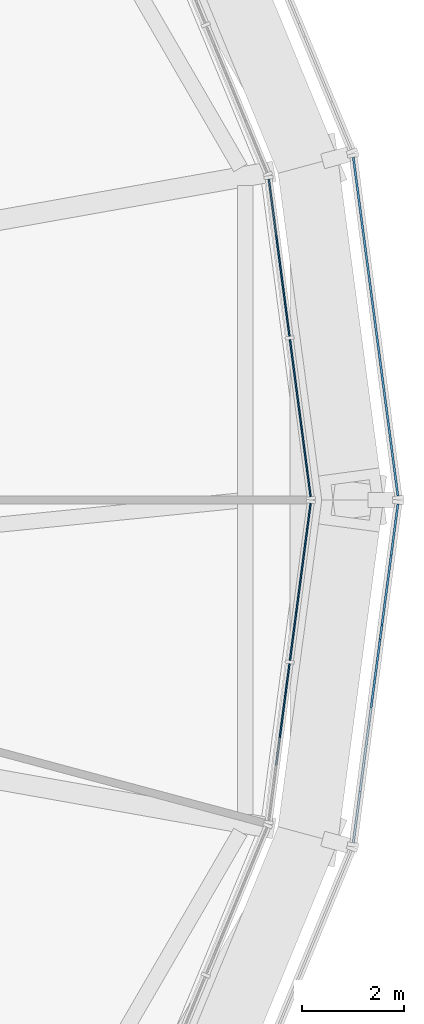
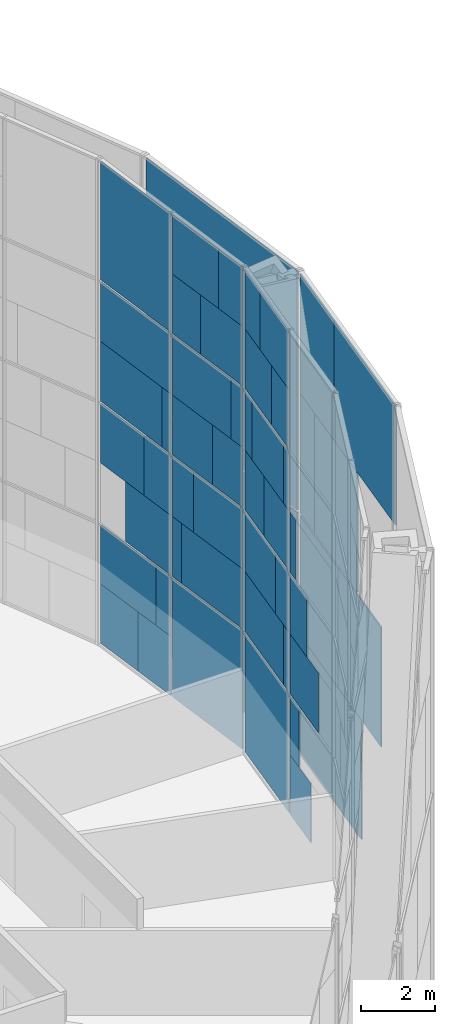
# One storey, part 20 of 30: 52 plates, 4 elements without a shape of their own.
"""IFC4 building model written with IfcOpenShell, lengths in metres."""

import ifcopenshell
import ifcopenshell.guid

model = None  # the IFC model being written
_history = None  # IfcOwnerHistory: only IFC2X3 demands one
_inside = {}  # id of a spatial element -> (the spatial element, [elements in it])
_under = {}  # id of a project, library or spatial element -> (it, [spatial elements below it])
_declared = {}  # id of a project -> (the project, [libraries it declares])
_typed = {}  # id of a type object -> (the type object, [elements of that type])
_made_of = {}  # id of a material, layer set ... -> (it, [elements and type objects made of it])


def new_model(schema):
    """Start an empty IFC model of exactly this schema.

    Asked for "IFC4X3", IfcOpenShell would pick the latest addendum, in which some entities
    have other attributes; the version numbers below select the first issue.
    IFC2X3 requires an IfcOwnerHistory on every rooted entity: one is made here for all.
    """
    global model, _history
    if schema == "IFC4X3":
        model = ifcopenshell.file(schema_version=(4, 3, 0, 0))
    else:
        model = ifcopenshell.file(schema=schema)
    _inside.clear()
    _under.clear()
    _declared.clear()
    _typed.clear()
    _made_of.clear()
    _history = None
    if model.schema == "IFC2X3":
        org = make("IfcOrganization", Name="unknown")
        user = make(
            "IfcPersonAndOrganization",
            ThePerson=make("IfcPerson", FamilyName="unknown"),
            TheOrganization=org,
        )
        app = make(
            "IfcApplication",
            ApplicationDeveloper=org,
            Version="unknown",
            ApplicationFullName="unknown",
            ApplicationIdentifier="unknown",
        )
        _history = make(
            "IfcOwnerHistory",
            OwningUser=user,
            OwningApplication=app,
            ChangeAction="ADDED",
            CreationDate=0,
        )
    return model


def make(cls, **values):
    """One entity of the class cls with the attributes given. An attribute that is None is left unset."""
    return model.create_entity(
        cls, **{name: value for name, value in values.items() if value is not None}
    )


def rooted(cls, **values):
    """An entity with a GlobalId (a new one), such as an element, a storey or a relation."""
    return make(cls, GlobalId=ifcopenshell.guid.new(), OwnerHistory=_history, **values)


def si_unit(unit_type, name, prefix=None):
    """IfcSIUnit, for example si_unit("LENGTHUNIT", "METRE", prefix="MILLI")."""
    return make("IfcSIUnit", UnitType=unit_type, Prefix=prefix, Name=name)


def assignment(units):
    """IfcUnitAssignment: the units of a project."""
    return None if units is None else make("IfcUnitAssignment", Units=units)


def point(xyz):
    """IfcCartesianPoint."""
    return None if xyz is None else make("IfcCartesianPoint", Coordinates=xyz)


def direction(xyz):
    """IfcDirection."""
    return None if xyz is None else make("IfcDirection", DirectionRatios=xyz)


def frame(location, z_axis=None, x_axis=None):
    """IfcAxis2Placement3D, a coordinate frame: its origin and axes. An axis left out is left unset."""
    return make(
        "IfcAxis2Placement3D",
        Location=point(location),
        Axis=direction(z_axis),
        RefDirection=direction(x_axis),
    )


def frame_2d(location, x_axis=None):
    """IfcAxis2Placement2D, a coordinate frame in the plane: its origin and x axis."""
    return make(
        "IfcAxis2Placement2D", Location=point(location), RefDirection=direction(x_axis)
    )


def origin():
    """The frame at (0, 0, 0) with its axes left unset."""
    return frame((0.0, 0.0, 0.0))


def origin_2d():
    """The frame at (0, 0) in the plane with its x axis left unset."""
    return frame_2d((0.0, 0.0))


def place(relative_to, where):
    """IfcLocalPlacement: puts the frame where relative to a parent placement (None: the world)."""
    return make(
        "IfcLocalPlacement", PlacementRelTo=relative_to, RelativePlacement=where
    )


def context(
    kind, dimensions, precision=None, world=None, true_north=None, identifier=None
):
    """IfcGeometricRepresentationContext, for example the 3D "Model" context."""
    return make(
        "IfcGeometricRepresentationContext",
        ContextIdentifier=identifier,
        ContextType=kind,
        CoordinateSpaceDimension=dimensions,
        Precision=precision,
        WorldCoordinateSystem=world,
        TrueNorth=true_north,
    )


def subcontext(parent, identifier, kind, view, scale=None):
    """IfcGeometricRepresentationSubContext, for example "Body" below "Model"."""
    return make(
        "IfcGeometricRepresentationSubContext",
        ContextIdentifier=identifier,
        ContextType=kind,
        ParentContext=parent,
        TargetScale=scale,
        TargetView=view,
    )


def project(units=None, contexts=None):
    """IfcProject with its units and contexts."""
    return rooted(
        "IfcProject",
        Name="project",
        RepresentationContexts=contexts,
        UnitsInContext=assignment(units),
    )


def spatial(cls, under=None, at=None, **own):
    """A site, building, storey or space (cls), placed at a placement, below another one or the project."""
    s = rooted(cls, ObjectPlacement=at, **own)
    if under is not None:
        _under.setdefault(under.id(), (under, []))[1].append(s)
    return s


def profile(cls, at=None, kind="AREA", **sizes):
    """A parametric profile (cls). Its sizes go by their IFC names, for example OverallWidth=200.0."""
    return make(cls, ProfileType=kind, Position=at, **sizes)


def rectangle(**sizes):
    """IfcRectangleProfileDef."""
    return profile("IfcRectangleProfileDef", **sizes)


def extrude(swept, where, along, depth):
    """IfcExtrudedAreaSolid: the profile swept, set in the frame where, extruded along a direction by depth."""
    return make(
        "IfcExtrudedAreaSolid",
        SweptArea=swept,
        Position=where,
        ExtrudedDirection=direction(along),
        Depth=depth,
    )


def shape(context_of_items, identifier, shape_type, items):
    """IfcShapeRepresentation: the items that make up one representation, for example the "Body"."""
    return make(
        "IfcShapeRepresentation",
        ContextOfItems=context_of_items,
        RepresentationIdentifier=identifier,
        RepresentationType=shape_type,
        Items=items,
    )


def material(Name=None, Category=None):
    """IfcMaterial."""
    return make("IfcMaterial", Name=Name, Category=Category)


def layer(
    of_material, thickness, ventilated=None, Name=None, Category=None, Priority=None
):
    """IfcMaterialLayer: one layer of a wall or slab, of a material (None: an air gap)."""
    return make(
        "IfcMaterialLayer",
        Material=of_material,
        LayerThickness=thickness,
        IsVentilated=ventilated,
        Name=Name,
        Category=Category,
        Priority=Priority,
    )


def layer_set(layers, Name=None):
    """IfcMaterialLayerSet."""
    return make("IfcMaterialLayerSet", MaterialLayers=layers, LayerSetName=Name)


def made_of(thing, what):
    """Note that an element or type object is made of a material, layer set ...; save() writes the relation."""
    if what is not None:
        _made_of.setdefault(what.id(), (what, []))[1].append(thing)
    return thing


def type_object(cls, material=None, **own):
    """A type object (cls), such as IfcWallType, which elements share."""
    return made_of(rooted(cls, **own), material)


def element(
    cls,
    number,
    at=None,
    inside=None,
    cuts=None,
    type_object=None,
    material=None,
    context=None,
    identifier="Body",
    shape_type=None,
    held_by="IfcProductDefinitionShape",
    body=None,
    shapes=None,
    **own,
):
    """One element of the class cls, such as IfcWall. Its Tag is "e" and its number.

    at: its placement. inside: the storey or other place that contains it. cuts: it is an
    opening in that element (IfcRelVoidsElement). A single representation is given by context,
    identifier, shape_type and body (its items); several are given by shapes. held_by: the class
    of the entity that holds the representations. save() writes the other relations.
    """
    e = rooted(cls, Tag="e%d" % number, ObjectPlacement=at, **own)
    if body is not None:
        shapes = [shape(context, identifier, shape_type, body)]
    if shapes is not None:
        e.Representation = make(held_by, Representations=shapes)
    if inside is not None:
        _inside.setdefault(inside.id(), (inside, []))[1].append(e)
    if cuts is not None:
        rooted(
            "IfcRelVoidsElement", RelatingBuildingElement=cuts, RelatedOpeningElement=e
        )
    if type_object is not None:
        _typed.setdefault(type_object.id(), (type_object, []))[1].append(e)
    return made_of(e, material)


def aggregate(whole, parts):
    """IfcRelAggregates: a whole, such as a stair, and the parts it consists of."""
    return rooted("IfcRelAggregates", RelatingObject=whole, RelatedObjects=parts)


def save(model, path):
    """Write the relations noted so far, then the file.

    IfcRelAggregates (storeys below a building ...), IfcRelContainedInSpatialStructure (elements
    in a storey), IfcRelDefinesByType, IfcRelAssociatesMaterial and IfcRelDeclares: one each for
    every whole, place, type object, material and project.
    """
    for whole, parts in _under.values():
        aggregate(whole, parts)
    for where, things in _inside.values():
        rooted(
            "IfcRelContainedInSpatialStructure",
            RelatedElements=things,
            RelatingStructure=where,
        )
    for kind, things in _typed.values():
        rooted("IfcRelDefinesByType", RelatedObjects=things, RelatingType=kind)
    for what, things in _made_of.values():
        rooted("IfcRelAssociatesMaterial", RelatedObjects=things, RelatingMaterial=what)
    for by, libraries in _declared.values():
        rooted("IfcRelDeclares", RelatingContext=by, RelatedDefinitions=libraries)
    model.write(path)


model = new_model("IFC4")

# Units and contexts
model_context = context("Model", 3, precision=1e-05, world=origin(), true_north=direction((0.0, 1.0)))
body_context = subcontext(model_context, "Body", "Model", "MODEL_VIEW")
ifc_project = project(units=[si_unit("LENGTHUNIT", "METRE"), si_unit("AREAUNIT", "SQUARE_METRE"), si_unit("VOLUMEUNIT", "CUBIC_METRE"), si_unit("PLANEANGLEUNIT", "RADIAN"), si_unit("MASSUNIT", "GRAM", prefix="KILO")], contexts=[model_context])

# Site, building, storey
site_placement = place(None, origin())
site = spatial("IfcSite", under=ifc_project, at=site_placement, CompositionType="ELEMENT")
building_placement = place(site_placement, origin())
building = spatial("IfcBuilding", under=site, at=building_placement, Name="Golbaran Civic Tower", CompositionType="ELEMENT")
storey_placement = place(building_placement, frame((0.0, 0.0, 102.0)))
storey = spatial("IfcBuildingStorey", under=building, at=storey_placement, Name="L24", CompositionType="ELEMENT", Elevation=102.0)

# Curtain wall, plates
ifc_material_1 = material(Name="Aluminium and glass", Category="aluminium")
curtain_wall_type_1 = type_object("IfcCurtainWallType", Name="INNER SKIN CURTAIN WALL", PredefinedType="NOTDEFINED", material=ifc_material_1)
curtain_wall_1_placement = place(storey_placement, origin())
curtain_wall_1 = element("IfcCurtainWall", 1, at=curtain_wall_1_placement, inside=storey, type_object=curtain_wall_type_1, Name="Inner skin L24 facet 1 CW1", ObjectType="INNER SKIN", PredefinedType="USERDEFINED")
ifc_material_2 = material(Name="Clear insulating glass", Category="glass")
ifc_layer_1 = layer(ifc_material_2, 0.031982421875, Name="Clear insulating glass")
ifc_layer_set_1 = layer_set([ifc_layer_1], Name="Clear insulating glass")
plate_type_1 = type_object("IfcPlateType", Name="INNER SKIN CURTAIN WALL GLAZED PANEL", PredefinedType="CURTAIN_PANEL", material=ifc_layer_set_1)
plate_1_placement = place(storey_placement, frame((24.366455078125, 1.6064453125, 0.06494140625), z_axis=(0.0, 0.0, 1.0), x_axis=(-0.130526192134, 0.991444861385, 0.0)))
plate_1 = element("IfcPlate", 2, at=plate_1_placement, type_object=plate_type_1, Name="CW1 panel 1.1", PredefinedType="CURTAIN_PANEL", context=body_context, shape_type="SweptSolid", body=[
    extrude(rectangle(XDim=3.110595703125, YDim=0.031982421875, at=origin_2d()), origin(), (0.0, 0.0, 1.0), 3.902587890625),
])
plate_2_placement = place(storey_placement, frame((24.392822265625, 1.407470703125, 4.03271484375), z_axis=(0.0, 0.0, 1.0), x_axis=(-0.130526192134, 0.991444861385, 0.0)))
plate_2 = element("IfcPlate", 3, at=plate_2_placement, type_object=plate_type_1, Name="CW1 panel 1.2 part 1", PredefinedType="CURTAIN_PANEL", context=body_context, shape_type="SweptSolid", body=[
    extrude(rectangle(XDim=2.708984375, YDim=0.031982421875, at=origin_2d()), origin(), (0.0, 0.0, 1.0), 1.967529296875),
])
plate_3_placement = place(storey_placement, frame((24.427734375, 1.140625, 6.0), z_axis=(0.0, 0.0, 1.0), x_axis=(-0.130526192134, 0.991444861385, 0.0)))
plate_3 = element("IfcPlate", 4, at=plate_3_placement, type_object=plate_type_1, Name="CW1 panel 1.2 part 3", PredefinedType="CURTAIN_PANEL", context=body_context, shape_type="SweptSolid", body=[
    extrude(rectangle(XDim=2.1708984375, YDim=0.031982421875, at=origin_2d()), origin(), (0.0, 0.0, 1.0), 1.967529296875),
])
plate_4_placement = place(storey_placement, frame((24.482666015625, 0.72314453125, 8.03271484375), z_axis=(0.0, 0.0, 1.0), x_axis=(-0.130526192134, 0.991444861385, 0.0)))
plate_4 = element("IfcPlate", 5, at=plate_4_placement, type_object=plate_type_1, Name="CW1 panel 1.3 part 1", PredefinedType="CURTAIN_PANEL", context=body_context, shape_type="SweptSolid", body=[
    extrude(rectangle(XDim=1.3291015625, YDim=0.031982421875, at=origin_2d()), origin(), (0.0, 0.0, 1.0), 1.967529296875),
])
plate_5_placement = place(storey_placement, frame((24.535888671875, 0.3193359375, 10.0), z_axis=(0.0, 0.0, 1.0), x_axis=(-0.130526192134, 0.991444861385, 0.0)))
plate_5 = element("IfcPlate", 6, at=plate_5_placement, type_object=plate_type_1, Name="CW1 panel 1.3 part 3", PredefinedType="CURTAIN_PANEL", context=body_context, shape_type="SweptSolid", body=[
    extrude(rectangle(XDim=0.513916015625, YDim=0.031982421875, at=origin_2d()), origin(), (0.0, 0.0, 1.0), 1.967529296875),
])
plate_6_placement = place(storey_placement, frame((24.24462890625, 2.532958984375, 12.032470703125), z_axis=(0.0, 0.0, 1.0), x_axis=(-0.130526192134, 0.991444861385, 0.0)))
plate_6 = element("IfcPlate", 7, at=plate_6_placement, type_object=plate_type_1, Name="CW1 panel 1.4 part 2", PredefinedType="CURTAIN_PANEL", context=body_context, shape_type="SweptSolid", body=[
    extrude(rectangle(XDim=1.241455078125, YDim=0.031982421875, at=origin_2d()), origin(), (0.0, 0.0, 1.0), 1.951171875),
])
plate_7_placement = place(storey_placement, frame((24.29736328125, 2.13232421875, 13.98388671875), z_axis=(0.0, 0.0, 1.0), x_axis=(-0.130526192134, 0.991444861385, 0.0)))
plate_7 = element("IfcPlate", 8, at=plate_7_placement, type_object=plate_type_1, Name="CW1 panel 1.4 part 4", PredefinedType="CURTAIN_PANEL", context=body_context, shape_type="SweptSolid", body=[
    extrude(rectangle(XDim=2.049560546875, YDim=0.031982421875, at=origin_2d()), origin(), (0.0, 0.0, 1.0), 1.951171875),
])
plate_8_placement = place(storey_placement, frame((24.059814453125, 3.9365234375, 0.06494140625), z_axis=(0.0, 0.0, 1.0), x_axis=(-0.130526192134, 0.991444861385, 0.0)))
plate_8 = element("IfcPlate", 9, at=plate_8_placement, type_object=plate_type_1, Name="CW1 panel 2.1 part 1", PredefinedType="CURTAIN_PANEL", context=body_context, shape_type="SweptSolid", body=[
    extrude(rectangle(XDim=1.4599609375, YDim=0.031982421875, at=origin_2d()), origin(), (0.0, 0.0, 1.0), 1.951171875),
])
plate_9_placement = place(storey_placement, frame((24.112548828125, 3.5361328125, 2.016357421875), z_axis=(0.0, 0.0, 1.0), x_axis=(-0.130526192134, 0.991444861385, 0.0)))
plate_9 = element("IfcPlate", 10, at=plate_9_placement, type_object=plate_type_1, Name="CW1 panel 2.1 part 3", PredefinedType="CURTAIN_PANEL", context=body_context, shape_type="SweptSolid", body=[
    extrude(rectangle(XDim=0.652099609375, YDim=0.031982421875, at=origin_2d()), origin(), (0.0, 0.0, 1.0), 1.951171875),
])
plate_10_placement = place(storey_placement, frame((23.874267578125, 5.345703125, 6.0), z_axis=(0.0, 0.0, 1.0), x_axis=(-0.130526192134, 0.991444861385, 0.0)))
plate_10 = element("IfcPlate", 11, at=plate_10_placement, type_object=plate_type_1, Name="CW1 panel 2.2 part 4", PredefinedType="CURTAIN_PANEL", context=body_context, shape_type="SweptSolid", body=[
    extrude(rectangle(XDim=1.91845703125, YDim=0.031982421875, at=origin_2d()), origin(), (0.0, 0.0, 1.0), 1.967529296875),
])
plate_11_placement = place(storey_placement, frame((23.926025390625, 4.953125, 8.03271484375), z_axis=(0.0, 0.0, 1.0), x_axis=(-0.130526192134, 0.991444861385, 0.0)))
plate_11 = element("IfcPlate", 12, at=plate_11_placement, type_object=plate_type_1, Name="CW1 panel 2.3 part 2", PredefinedType="CURTAIN_PANEL", context=body_context, shape_type="SweptSolid", body=[
    extrude(rectangle(XDim=2.710693359375, YDim=0.031982421875, at=origin_2d()), origin(), (0.0, 0.0, 1.0), 1.967529296875),
])
plate_12_placement = place(storey_placement, frame((23.951904296875, 4.7548828125, 10.0), z_axis=(0.0, 0.0, 1.0), x_axis=(-0.130526192134, 0.991444861385, 0.0)))
plate_12 = element("IfcPlate", 13, at=plate_12_placement, type_object=plate_type_1, Name="CW1 panel 2.3 part 3", PredefinedType="CURTAIN_PANEL", context=body_context, shape_type="SweptSolid", body=[
    extrude(rectangle(XDim=3.110595703125, YDim=0.031982421875, at=origin_2d()), origin(), (0.0, 0.0, 1.0), 1.967529296875),
])
plate_13_placement = place(storey_placement, frame((23.951904296875, 4.7548828125, 12.0322265625), z_axis=(0.0, 0.0, 1.0), x_axis=(-0.130526192134, 0.991444861385, 0.0)))
plate_13 = element("IfcPlate", 14, at=plate_13_placement, type_object=plate_type_1, Name="CW1 panel 2.4", PredefinedType="CURTAIN_PANEL", context=body_context, shape_type="SweptSolid", body=[
    extrude(rectangle(XDim=3.110595703125, YDim=0.031982421875, at=origin_2d()), origin(), (0.0, 0.0, 1.0), 3.902587890625),
])

curtain_wall_2_placement = place(storey_placement, origin())
curtain_wall_2 = element("IfcCurtainWall", 15, at=curtain_wall_2_placement, inside=storey, type_object=curtain_wall_type_1, Name="Inner skin L24 facet 24 CW1", ObjectType="INNER SKIN", PredefinedType="USERDEFINED")
plate_14_placement = place(storey_placement, frame((24.059814453125, -3.936767578125, 0.06494140625), z_axis=(0.0, 0.0, 1.0), x_axis=(0.130526192134, 0.991444861385, 0.0)))
plate_14 = element("IfcPlate", 16, at=plate_14_placement, type_object=plate_type_1, Name="CW1 panel 1.1 part 2", PredefinedType="CURTAIN_PANEL", context=body_context, shape_type="SweptSolid", body=[
    extrude(rectangle(XDim=1.460693359375, YDim=0.031982421875, at=origin_2d()), origin(), (0.0, 0.0, 1.0), 1.951171875),
])
plate_15_placement = place(storey_placement, frame((24.112548828125, -3.535888671875, 2.016357421875), z_axis=(0.0, 0.0, 1.0), x_axis=(0.130526192134, 0.991444861385, 0.0)))
plate_15 = element("IfcPlate", 17, at=plate_15_placement, type_object=plate_type_1, Name="CW1 panel 1.1 part 4", PredefinedType="CURTAIN_PANEL", context=body_context, shape_type="SweptSolid", body=[
    extrude(rectangle(XDim=0.651611328125, YDim=0.031982421875, at=origin_2d()), origin(), (0.0, 0.0, 1.0), 1.951171875),
])
plate_16_placement = place(storey_placement, frame((24.366455078125, -1.6064453125, 0.06494140625), z_axis=(0.0, 0.0, 1.0), x_axis=(0.130526192134, 0.991444861385, 0.0)))
plate_16 = element("IfcPlate", 18, at=plate_16_placement, type_object=plate_type_1, Name="CW1 panel 2.1", PredefinedType="CURTAIN_PANEL", context=body_context, shape_type="SweptSolid", body=[
    extrude(rectangle(XDim=3.110595703125, YDim=0.031982421875, at=origin_2d()), origin(), (0.0, 0.0, 1.0), 3.902587890625),
])
plate_17_placement = place(storey_placement, frame((24.392578125, -1.40771484375, 4.03271484375), z_axis=(0.0, 0.0, 1.0), x_axis=(0.130526192134, 0.991444861385, 0.0)))
plate_17 = element("IfcPlate", 19, at=plate_17_placement, type_object=plate_type_1, Name="CW1 panel 2.2 part 2", PredefinedType="CURTAIN_PANEL", context=body_context, shape_type="SweptSolid", body=[
    extrude(rectangle(XDim=2.70947265625, YDim=0.031982421875, at=origin_2d()), origin(), (0.0, 0.0, 1.0), 1.967529296875),
])
plate_18_placement = place(storey_placement, frame((24.427978515625, -1.140380859375, 6.0), z_axis=(0.0, 0.0, 1.0), x_axis=(0.130526192134, 0.991444861385, 0.0)))
plate_18 = element("IfcPlate", 20, at=plate_18_placement, type_object=plate_type_1, Name="CW1 panel 2.2 part 4", PredefinedType="CURTAIN_PANEL", context=body_context, shape_type="SweptSolid", body=[
    extrude(rectangle(XDim=2.170654296875, YDim=0.031982421875, at=origin_2d()), origin(), (0.0, 0.0, 1.0), 1.967529296875),
])
plate_19_placement = place(storey_placement, frame((24.48291015625, -0.72314453125, 8.03271484375), z_axis=(0.0, 0.0, 1.0), x_axis=(0.130526192134, 0.991444861385, 0.0)))
plate_19 = element("IfcPlate", 21, at=plate_19_placement, type_object=plate_type_1, Name="CW1 panel 2.3 part 2", PredefinedType="CURTAIN_PANEL", context=body_context, shape_type="SweptSolid", body=[
    extrude(rectangle(XDim=1.32861328125, YDim=0.031982421875, at=origin_2d()), origin(), (0.0, 0.0, 1.0), 1.967529296875),
])
plate_20_placement = place(storey_placement, frame((24.189697265625, -2.9501953125, 10.0), z_axis=(0.0, 0.0, 1.0), x_axis=(0.130526192134, 0.991444861385, 0.0)))
plate_20 = element("IfcPlate", 22, at=plate_20_placement, type_object=plate_type_1, Name="CW1 panel 2.3 part 3", PredefinedType="CURTAIN_PANEL", context=body_context, shape_type="SweptSolid", body=[
    extrude(rectangle(XDim=0.39990234375, YDim=0.031982421875, at=origin_2d()), origin(), (0.0, 0.0, 1.0), 1.967529296875),
])
plate_21_placement = place(storey_placement, frame((24.535888671875, -0.319091796875, 10.0), z_axis=(0.0, 0.0, 1.0), x_axis=(0.130526192134, 0.991444861385, 0.0)))
plate_21 = element("IfcPlate", 23, at=plate_21_placement, type_object=plate_type_1, Name="CW1 panel 2.3 part 5", PredefinedType="CURTAIN_PANEL", context=body_context, shape_type="SweptSolid", body=[
    extrude(rectangle(XDim=0.513671875, YDim=0.031982421875, at=origin_2d()), origin(), (0.0, 0.0, 1.0), 1.967529296875),
])
plate_22_placement = place(storey_placement, frame((24.24462890625, -2.53271484375, 12.032470703125), z_axis=(0.0, 0.0, 1.0), x_axis=(0.130526192134, 0.991444861385, 0.0)))
plate_22 = element("IfcPlate", 24, at=plate_22_placement, type_object=plate_type_1, Name="CW1 panel 2.4 part 1", PredefinedType="CURTAIN_PANEL", context=body_context, shape_type="SweptSolid", body=[
    extrude(rectangle(XDim=1.241943359375, YDim=0.031982421875, at=origin_2d()), origin(), (0.0, 0.0, 1.0), 1.951171875),
])
plate_23_placement = place(storey_placement, frame((24.29736328125, -2.132080078125, 13.98388671875), z_axis=(0.0, 0.0, 1.0), x_axis=(0.130526192134, 0.991444861385, 0.0)))
plate_23 = element("IfcPlate", 25, at=plate_23_placement, type_object=plate_type_1, Name="CW1 panel 2.4 part 3", PredefinedType="CURTAIN_PANEL", context=body_context, shape_type="SweptSolid", body=[
    extrude(rectangle(XDim=2.050048828125, YDim=0.031982421875, at=origin_2d()), origin(), (0.0, 0.0, 1.0), 1.951171875),
])

# Plate
ifc_material_3 = material(Name="Aluminium faced opaque infill panel", Category="aluminium")
ifc_layer_2 = layer(ifc_material_3, 0.031982421875, Name="Aluminium faced opaque infill panel")
ifc_layer_set_2 = layer_set([ifc_layer_2], Name="Aluminium faced opaque infill panel")
plate_type_2 = type_object("IfcPlateType", Name="INNER SKIN CURTAIN WALL OPAQUE INFILL PANEL", PredefinedType="CURTAIN_PANEL", material=ifc_layer_set_2)
plate_24_placement = place(storey_placement, frame((24.189697265625, 2.94921875, 4.03271484375), z_axis=(0.0, 0.0, 1.0), x_axis=(-0.130526192134, 0.991444861385, 0.0)))
plate_24 = element("IfcPlate", 26, at=plate_24_placement, type_object=plate_type_2, Name="CW1 infill panel 1.2 part 2", PredefinedType="CURTAIN_PANEL", context=body_context, shape_type="SweptSolid", body=[
    extrude(rectangle(XDim=0.401611328125, YDim=0.031982421875, at=origin_2d()), origin(), (0.0, 0.0, 1.0), 1.967529296875),
])

plate_25_placement = place(storey_placement, frame((24.224853515625, 2.6826171875, 6.0), z_axis=(0.0, 0.0, 1.0), x_axis=(-0.130526192134, 0.991444861385, 0.0)))
plate_25 = element("IfcPlate", 27, at=plate_25_placement, type_object=plate_type_2, Name="CW1 infill panel 1.2 part 4", PredefinedType="CURTAIN_PANEL", context=body_context, shape_type="SweptSolid", body=[
    extrude(rectangle(XDim=0.939453125, YDim=0.031982421875, at=origin_2d()), origin(), (0.0, 0.0, 1.0), 1.967529296875),
])

plate_26_placement = place(storey_placement, frame((24.27978515625, 2.26513671875, 8.03271484375), z_axis=(0.0, 0.0, 1.0), x_axis=(-0.130526192134, 0.991444861385, 0.0)))
plate_26 = element("IfcPlate", 28, at=plate_26_placement, type_object=plate_type_2, Name="CW1 infill panel 1.3 part 2", PredefinedType="CURTAIN_PANEL", context=body_context, shape_type="SweptSolid", body=[
    extrude(rectangle(XDim=1.781494140625, YDim=0.031982421875, at=origin_2d()), origin(), (0.0, 0.0, 1.0), 1.967529296875),
])

plate_27_placement = place(storey_placement, frame((24.3330078125, 1.861328125, 10.0), z_axis=(0.0, 0.0, 1.0), x_axis=(-0.130526192134, 0.991444861385, 0.0)))
plate_27 = element("IfcPlate", 29, at=plate_27_placement, type_object=plate_type_2, Name="CW1 infill panel 1.3 part 4", PredefinedType="CURTAIN_PANEL", context=body_context, shape_type="SweptSolid", body=[
    extrude(rectangle(XDim=2.5966796875, YDim=0.031982421875, at=origin_2d()), origin(), (0.0, 0.0, 1.0), 1.967529296875),
])

plate_28_placement = place(storey_placement, frame((24.447509765625, 0.990966796875, 12.032470703125), z_axis=(0.0, 0.0, 1.0), x_axis=(-0.130526192134, 0.991444861385, 0.0)))
plate_28 = element("IfcPlate", 30, at=plate_28_placement, type_object=plate_type_2, Name="CW1 infill panel 1.4 part 1", PredefinedType="CURTAIN_PANEL", context=body_context, shape_type="SweptSolid", body=[
    extrude(rectangle(XDim=1.868896484375, YDim=0.031982421875, at=origin_2d()), origin(), (0.0, 0.0, 1.0), 1.951171875),
])

plate_29_placement = place(storey_placement, frame((24.500244140625, 0.59033203125, 13.98388671875), z_axis=(0.0, 0.0, 1.0), x_axis=(-0.130526192134, 0.991444861385, 0.0)))
plate_29 = element("IfcPlate", 31, at=plate_29_placement, type_object=plate_type_2, Name="CW1 infill panel 1.4 part 3", PredefinedType="CURTAIN_PANEL", context=body_context, shape_type="SweptSolid", body=[
    extrude(rectangle(XDim=1.06103515625, YDim=0.031982421875, at=origin_2d()), origin(), (0.0, 0.0, 1.0), 1.951171875),
])

plate_30_placement = place(storey_placement, frame((23.856689453125, 5.478515625, 0.06494140625), z_axis=(0.0, 0.0, 1.0), x_axis=(-0.130526192134, 0.991444861385, 0.0)))
plate_30 = element("IfcPlate", 32, at=plate_30_placement, type_object=plate_type_2, Name="CW1 infill panel 2.1 part 2", PredefinedType="CURTAIN_PANEL", context=body_context, shape_type="SweptSolid", body=[
    extrude(rectangle(XDim=1.650634765625, YDim=0.031982421875, at=origin_2d()), origin(), (0.0, 0.0, 1.0), 1.951171875),
])

plate_31_placement = place(storey_placement, frame((23.909423828125, 5.078125, 2.016357421875), z_axis=(0.0, 0.0, 1.0), x_axis=(-0.130526192134, 0.991444861385, 0.0)))
plate_31 = element("IfcPlate", 33, at=plate_31_placement, type_object=plate_type_2, Name="CW1 infill panel 2.1 part 4", PredefinedType="CURTAIN_PANEL", context=body_context, shape_type="SweptSolid", body=[
    extrude(rectangle(XDim=2.45849609375, YDim=0.031982421875, at=origin_2d()), origin(), (0.0, 0.0, 1.0), 1.951171875),
])

plate_32_placement = place(storey_placement, frame((24.02392578125, 4.207763671875, 4.03271484375), z_axis=(0.0, 0.0, 1.0), x_axis=(-0.130526192134, 0.991444861385, 0.0)))
plate_32 = element("IfcPlate", 34, at=plate_32_placement, type_object=plate_type_2, Name="CW1 infill panel 2.2 part 1", PredefinedType="CURTAIN_PANEL", context=body_context, shape_type="SweptSolid", body=[
    extrude(rectangle(XDim=2.007080078125, YDim=0.031982421875, at=origin_2d()), origin(), (0.0, 0.0, 1.0), 1.967529296875),
])

plate_33_placement = place(storey_placement, frame((24.0771484375, 3.8037109375, 6.0), z_axis=(0.0, 0.0, 1.0), x_axis=(-0.130526192134, 0.991444861385, 0.0)))
plate_33 = element("IfcPlate", 35, at=plate_33_placement, type_object=plate_type_2, Name="CW1 infill panel 2.2 part 3", PredefinedType="CURTAIN_PANEL", context=body_context, shape_type="SweptSolid", body=[
    extrude(rectangle(XDim=1.19189453125, YDim=0.031982421875, at=origin_2d()), origin(), (0.0, 0.0, 1.0), 1.967529296875),
])

plate_34_placement = place(storey_placement, frame((24.12890625, 3.4111328125, 8.03271484375), z_axis=(0.0, 0.0, 1.0), x_axis=(-0.130526192134, 0.991444861385, 0.0)))
plate_34 = element("IfcPlate", 36, at=plate_34_placement, type_object=plate_type_2, Name="CW1 infill panel 2.3 part 1", PredefinedType="CURTAIN_PANEL", context=body_context, shape_type="SweptSolid", body=[
    extrude(rectangle(XDim=0.39990234375, YDim=0.031982421875, at=origin_2d()), origin(), (0.0, 0.0, 1.0), 1.967529296875),
])

aggregate(curtain_wall_1, [plate_1, plate_2, plate_24, plate_3, plate_25, plate_4, plate_26, plate_5, plate_27, plate_28, plate_6, plate_29, plate_7, plate_8, plate_30, plate_9, plate_31, plate_32, plate_33, plate_10, plate_34, plate_11, plate_12, plate_13])

plate_35_placement = place(storey_placement, frame((24.024169921875, -4.20751953125, 4.03271484375), z_axis=(0.0, 0.0, 1.0), x_axis=(0.130526192134, 0.991444861385, 0.0)))
plate_35 = element("IfcPlate", 37, at=plate_35_placement, type_object=plate_type_2, Name="CW1 infill panel 1.2 part 2", PredefinedType="CURTAIN_PANEL", context=body_context, shape_type="SweptSolid", body=[
    extrude(rectangle(XDim=2.006591796875, YDim=0.031982421875, at=origin_2d()), origin(), (0.0, 0.0, 1.0), 1.967529296875),
])

plate_36_placement = place(storey_placement, frame((24.0771484375, -3.803466796875, 6.0), z_axis=(0.0, 0.0, 1.0), x_axis=(0.130526192134, 0.991444861385, 0.0)))
plate_36 = element("IfcPlate", 38, at=plate_36_placement, type_object=plate_type_2, Name="CW1 infill panel 1.2 part 4", PredefinedType="CURTAIN_PANEL", context=body_context, shape_type="SweptSolid", body=[
    extrude(rectangle(XDim=1.191650390625, YDim=0.031982421875, at=origin_2d()), origin(), (0.0, 0.0, 1.0), 1.967529296875),
])

plate_37_placement = place(storey_placement, frame((24.12890625, -3.411865234375, 8.03271484375), z_axis=(0.0, 0.0, 1.0), x_axis=(0.130526192134, 0.991444861385, 0.0)))
plate_37 = element("IfcPlate", 39, at=plate_37_placement, type_object=plate_type_2, Name="CW1 infill panel 1.3 part 2", PredefinedType="CURTAIN_PANEL", context=body_context, shape_type="SweptSolid", body=[
    extrude(rectangle(XDim=0.401611328125, YDim=0.031982421875, at=origin_2d()), origin(), (0.0, 0.0, 1.0), 1.967529296875),
])

plate_38_placement = place(storey_placement, frame((24.189697265625, -2.94970703125, 4.03271484375), z_axis=(0.0, 0.0, 1.0), x_axis=(0.130526192134, 0.991444861385, 0.0)))
plate_38 = element("IfcPlate", 40, at=plate_38_placement, type_object=plate_type_2, Name="CW1 infill panel 2.2 part 1", PredefinedType="CURTAIN_PANEL", context=body_context, shape_type="SweptSolid", body=[
    extrude(rectangle(XDim=0.40087890625, YDim=0.031982421875, at=origin_2d()), origin(), (0.0, 0.0, 1.0), 1.967529296875),
])

plate_39_placement = place(storey_placement, frame((24.224853515625, -2.682373046875, 6.0), z_axis=(0.0, 0.0, 1.0), x_axis=(0.130526192134, 0.991444861385, 0.0)))
plate_39 = element("IfcPlate", 41, at=plate_39_placement, type_object=plate_type_2, Name="CW1 infill panel 2.2 part 3", PredefinedType="CURTAIN_PANEL", context=body_context, shape_type="SweptSolid", body=[
    extrude(rectangle(XDim=0.93994140625, YDim=0.031982421875, at=origin_2d()), origin(), (0.0, 0.0, 1.0), 1.967529296875),
])

plate_40_placement = place(storey_placement, frame((24.27978515625, -2.26513671875, 8.03271484375), z_axis=(0.0, 0.0, 1.0), x_axis=(0.130526192134, 0.991444861385, 0.0)))
plate_40 = element("IfcPlate", 42, at=plate_40_placement, type_object=plate_type_2, Name="CW1 infill panel 2.3 part 1", PredefinedType="CURTAIN_PANEL", context=body_context, shape_type="SweptSolid", body=[
    extrude(rectangle(XDim=1.781982421875, YDim=0.031982421875, at=origin_2d()), origin(), (0.0, 0.0, 1.0), 1.967529296875),
])

plate_41_placement = place(storey_placement, frame((24.359130859375, -1.662841796875, 10.0), z_axis=(0.0, 0.0, 1.0), x_axis=(0.130526192134, 0.991444861385, 0.0)))
plate_41 = element("IfcPlate", 43, at=plate_41_placement, type_object=plate_type_2, Name="CW1 infill panel 2.3 part 4", PredefinedType="CURTAIN_PANEL", context=body_context, shape_type="SweptSolid", body=[
    extrude(rectangle(XDim=2.197021484375, YDim=0.031982421875, at=origin_2d()), origin(), (0.0, 0.0, 1.0), 1.967529296875),
])

plate_42_placement = place(storey_placement, frame((24.447509765625, -0.99072265625, 12.032470703125), z_axis=(0.0, 0.0, 1.0), x_axis=(0.130526192134, 0.991444861385, 0.0)))
plate_42 = element("IfcPlate", 44, at=plate_42_placement, type_object=plate_type_2, Name="CW1 infill panel 2.4 part 2", PredefinedType="CURTAIN_PANEL", context=body_context, shape_type="SweptSolid", body=[
    extrude(rectangle(XDim=1.86865234375, YDim=0.031982421875, at=origin_2d()), origin(), (0.0, 0.0, 1.0), 1.951171875),
])

plate_43_placement = place(storey_placement, frame((24.500244140625, -0.590087890625, 13.98388671875), z_axis=(0.0, 0.0, 1.0), x_axis=(0.130526192134, 0.991444861385, 0.0)))
plate_43 = element("IfcPlate", 45, at=plate_43_placement, type_object=plate_type_2, Name="CW1 infill panel 2.4 part 4", PredefinedType="CURTAIN_PANEL", context=body_context, shape_type="SweptSolid", body=[
    extrude(rectangle(XDim=1.060546875, YDim=0.031982421875, at=origin_2d()), origin(), (0.0, 0.0, 1.0), 1.951171875),
])

aggregate(curtain_wall_2, [plate_14, plate_15, plate_35, plate_36, plate_37, plate_16, plate_38, plate_17, plate_39, plate_18, plate_40, plate_19, plate_20, plate_41, plate_21, plate_22, plate_42, plate_23, plate_43])

# Curtain wall, plates
curtain_wall_type_2 = type_object("IfcCurtainWallType", Name="OUTER SKIN TERRACOTTA SCREEN", PredefinedType="NOTDEFINED", material=ifc_material_1)
curtain_wall_3_placement = place(storey_placement, origin())
curtain_wall_3 = element("IfcCurtainWall", 46, at=curtain_wall_3_placement, inside=storey, type_object=curtain_wall_type_2, Name="Outer skin L24 facet 24 CW3", ObjectType="OUTER SKIN", PredefinedType="USERDEFINED")
ifc_material_4 = material(Name="Clear laminated glass", Category="glass")
ifc_layer_3 = layer(ifc_material_4, 0.0400390625, Name="Clear laminated glass")
ifc_layer_set_3 = layer_set([ifc_layer_3], Name="Clear laminated glass")
plate_type_3 = type_object("IfcPlateType", Name="OUTER SKIN CLEAR GLASS PANEL", PredefinedType="CURTAIN_PANEL", material=ifc_layer_set_3)
plate_44_placement = place(storey_placement, frame((26.00146484375, -2.21533203125, -0.6298828125), z_axis=(0.0, 0.0, 1.0), x_axis=(0.130526192168, 0.991444861381, 0.0)))
plate_44 = element("IfcPlate", 47, at=plate_44_placement, type_object=plate_type_3, Name="CW3 panel 1.1 part 2", PredefinedType="CURTAIN_PANEL", context=body_context, shape_type="SweptSolid", body=[
    extrude(rectangle(XDim=4.308837890625, YDim=0.0400390625, at=origin_2d()), origin(), (0.0, 0.0, 1.0), 3.93994140625),
])
plate_45_placement = place(storey_placement, frame((26.10791015625, -1.40625, 3.31005859375), z_axis=(0.0, 0.0, 1.0), x_axis=(0.130526192168, 0.991444861381, 0.0)))
plate_45 = element("IfcPlate", 48, at=plate_45_placement, type_object=plate_type_3, Name="CW3 panel 1.1 part 5", PredefinedType="CURTAIN_PANEL", context=body_context, shape_type="SweptSolid", body=[
    extrude(rectangle(XDim=2.6767578125, YDim=0.0400390625, at=origin_2d()), origin(), (0.0, 0.0, 1.0), 3.93994140625),
])
plate_46_placement = place(storey_placement, frame((26.216552734375, -0.580810546875, 7.330078125), z_axis=(0.0, 0.0, 1.0), x_axis=(0.130526192168, 0.991444861381, 0.0)))
plate_46 = element("IfcPlate", 49, at=plate_46_placement, type_object=plate_type_3, Name="CW3 panel 1.2 part 3", PredefinedType="CURTAIN_PANEL", context=body_context, shape_type="SweptSolid", body=[
    extrude(rectangle(XDim=1.011962890625, YDim=0.0400390625, at=origin_2d()), origin(), (0.0, 0.0, 1.0), 3.93994140625),
])
plate_47_placement = place(storey_placement, frame((25.688720703125, -4.58935546875, 11.27001953125), z_axis=(0.0, 0.0, 1.0), x_axis=(0.130526192168, 0.991444861381, 0.0)))
plate_47 = element("IfcPlate", 50, at=plate_47_placement, type_object=plate_type_3, Name="CW3 panel 1.2 part 4", PredefinedType="CURTAIN_PANEL", context=body_context, shape_type="SweptSolid", body=[
    extrude(rectangle(XDim=4.31005859375, YDim=0.0400390625, at=origin_2d()), origin(), (0.0, 0.0, 1.0), 3.93994140625),
])
ifc_material_5 = material(Name="Terracotta baguette screen", Category="masonry")
ifc_layer_4 = layer(ifc_material_5, 0.0400390625, Name="Terracotta baguette screen")
ifc_layer_set_4 = layer_set([ifc_layer_4], Name="Terracotta baguette screen")
plate_type_4 = type_object("IfcPlateType", Name="OUTER SKIN TERRACOTTA INFILL PANEL", PredefinedType="CURTAIN_PANEL", material=ifc_layer_set_4)
plate_48_placement = place(storey_placement, frame((25.736572265625, -4.227294921875, 3.31005859375), z_axis=(0.0, 0.0, 1.0), x_axis=(0.130526192168, 0.991444861381, 0.0)))
plate_48 = element("IfcPlate", 51, at=plate_48_placement, type_object=plate_type_4, Name="CW3 infill panel 1.1 part 4", PredefinedType="CURTAIN_PANEL", context=body_context, shape_type="SweptSolid", body=[
    extrude(rectangle(XDim=3.013916015625, YDim=0.0400390625, at=origin_2d()), origin(), (0.0, 0.0, 1.0), 3.93994140625),
])
plate_49_placement = place(storey_placement, frame((25.953857421875, -2.57666015625, 7.330078125), z_axis=(0.0, 0.0, 1.0), x_axis=(0.130526192168, 0.991444861381, 0.0)))
plate_49 = element("IfcPlate", 52, at=plate_49_placement, type_object=plate_type_4, Name="CW3 infill panel 1.2 part 2", PredefinedType="CURTAIN_PANEL", context=body_context, shape_type="SweptSolid", body=[
    extrude(rectangle(XDim=3.013916015625, YDim=0.0400390625, at=origin_2d()), origin(), (0.0, 0.0, 1.0), 3.93994140625),
])
plate_50_placement = place(storey_placement, frame((26.126220703125, -1.26611328125, 11.27001953125), z_axis=(0.0, 0.0, 1.0), x_axis=(0.130526192168, 0.991444861381, 0.0)))
plate_50 = element("IfcPlate", 53, at=plate_50_placement, type_object=plate_type_4, Name="CW3 infill panel 1.2 part 5", PredefinedType="CURTAIN_PANEL", context=body_context, shape_type="SweptSolid", body=[
    extrude(rectangle(XDim=2.393798828125, YDim=0.0400390625, at=origin_2d()), origin(), (0.0, 0.0, 1.0), 3.93994140625),
])
aggregate(curtain_wall_3, [plate_44, plate_48, plate_45, plate_49, plate_46, plate_47, plate_50])

curtain_wall_4_placement = place(storey_placement, origin())
curtain_wall_4 = element("IfcCurtainWall", 54, at=curtain_wall_4_placement, inside=storey, type_object=curtain_wall_type_2, Name="Outer skin L24 facet 1 CW3", ObjectType="OUTER SKIN", PredefinedType="USERDEFINED")
ifc_layer_5 = layer(ifc_material_5, 0.0400390625, Name="Terracotta baguette screen")
ifc_layer_set_5 = layer_set([ifc_layer_5], Name="Terracotta baguette screen")
plate_type_5 = type_object("IfcPlateType", Name="OUTER SKIN TERRACOTTA SCREEN PANEL", PredefinedType="CURTAIN_PANEL", material=ifc_layer_set_5)
plate_51_placement = place(storey_placement, frame((25.844970703125, 3.402587890625, -0.6298828125), z_axis=(0.0, 0.0, 1.0), x_axis=(-0.130526192168, 0.991444861381, 0.0)))
plate_51 = element("IfcPlate", 55, at=plate_51_placement, type_object=plate_type_5, Name="CW3 terracotta screen panel 1.1", PredefinedType="CURTAIN_PANEL", context=body_context, shape_type="SweptSolid", body=[
    extrude(rectangle(XDim=6.703857421875, YDim=0.0400390625, at=origin_2d()), origin(), (0.0, 0.0, 1.0), 7.8798828125),
])
plate_52_placement = place(storey_placement, frame((25.844970703125, 3.402587890625, 7.330078125), z_axis=(0.0, 0.0, 1.0), x_axis=(-0.130526192168, 0.991444861381, 0.0)))
plate_52 = element("IfcPlate", 56, at=plate_52_placement, type_object=plate_type_5, Name="CW3 terracotta screen panel 1.2", PredefinedType="CURTAIN_PANEL", context=body_context, shape_type="SweptSolid", body=[
    extrude(rectangle(XDim=6.703857421875, YDim=0.0400390625, at=origin_2d()), origin(), (0.0, 0.0, 1.0), 7.8798828125),
])
aggregate(curtain_wall_4, [plate_51, plate_52])

save(model, "model.ifc")
